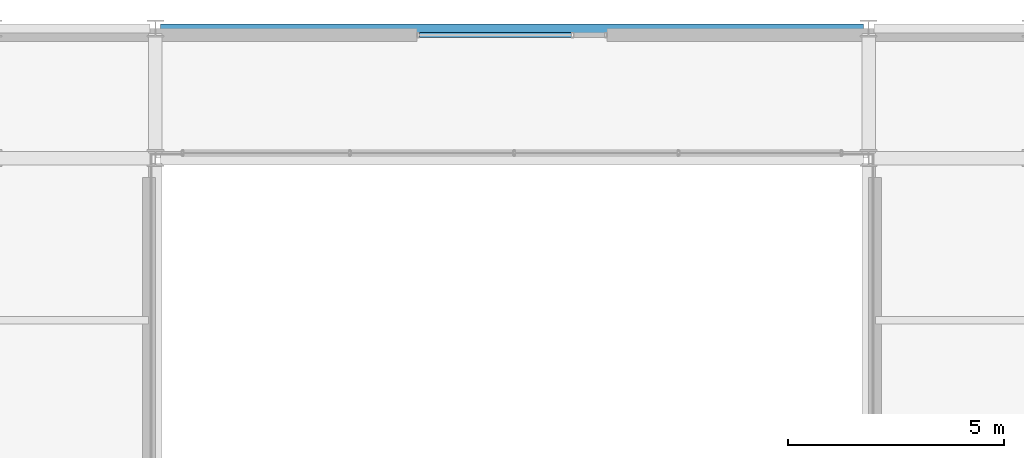
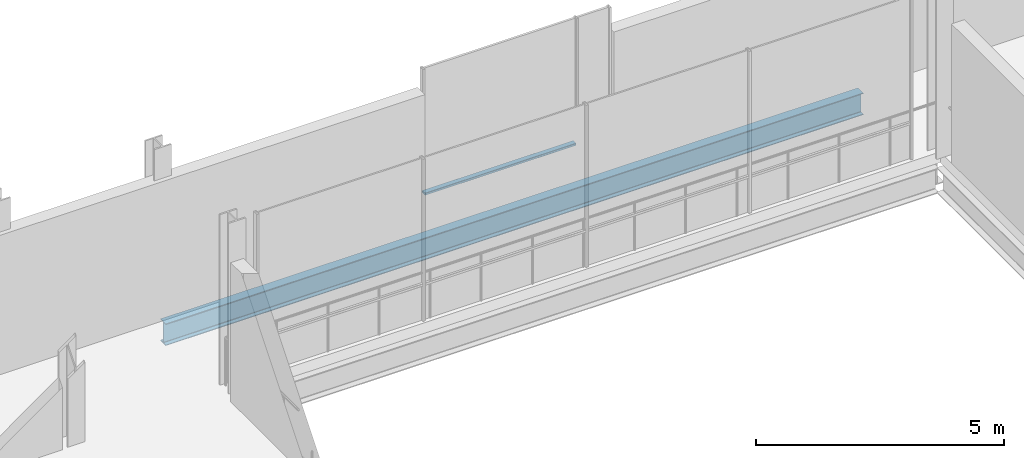
# One storey, part 12 of 33: 1 beam, 1 member, 1 element without a shape of its own.
"""IFC4 building model written with IfcOpenShell, lengths in metres."""

import ifcopenshell
import ifcopenshell.guid

model = None  # the IFC model being written
_history = None  # IfcOwnerHistory: only IFC2X3 demands one
_inside = {}  # id of a spatial element -> (the spatial element, [elements in it])
_under = {}  # id of a project, library or spatial element -> (it, [spatial elements below it])
_declared = {}  # id of a project -> (the project, [libraries it declares])
_typed = {}  # id of a type object -> (the type object, [elements of that type])
_made_of = {}  # id of a material, layer set ... -> (it, [elements and type objects made of it])


def new_model(schema):
    """Start an empty IFC model of exactly this schema.

    Asked for "IFC4X3", IfcOpenShell would pick the latest addendum, in which some entities
    have other attributes; the version numbers below select the first issue.
    IFC2X3 requires an IfcOwnerHistory on every rooted entity: one is made here for all.
    """
    global model, _history
    if schema == "IFC4X3":
        model = ifcopenshell.file(schema_version=(4, 3, 0, 0))
    else:
        model = ifcopenshell.file(schema=schema)
    _inside.clear()
    _under.clear()
    _declared.clear()
    _typed.clear()
    _made_of.clear()
    _history = None
    if model.schema == "IFC2X3":
        org = make("IfcOrganization", Name="unknown")
        user = make(
            "IfcPersonAndOrganization",
            ThePerson=make("IfcPerson", FamilyName="unknown"),
            TheOrganization=org,
        )
        app = make(
            "IfcApplication",
            ApplicationDeveloper=org,
            Version="unknown",
            ApplicationFullName="unknown",
            ApplicationIdentifier="unknown",
        )
        _history = make(
            "IfcOwnerHistory",
            OwningUser=user,
            OwningApplication=app,
            ChangeAction="ADDED",
            CreationDate=0,
        )
    return model


def make(cls, **values):
    """One entity of the class cls with the attributes given. An attribute that is None is left unset."""
    return model.create_entity(
        cls, **{name: value for name, value in values.items() if value is not None}
    )


def rooted(cls, **values):
    """An entity with a GlobalId (a new one), such as an element, a storey or a relation."""
    return make(cls, GlobalId=ifcopenshell.guid.new(), OwnerHistory=_history, **values)


def si_unit(unit_type, name, prefix=None):
    """IfcSIUnit, for example si_unit("LENGTHUNIT", "METRE", prefix="MILLI")."""
    return make("IfcSIUnit", UnitType=unit_type, Prefix=prefix, Name=name)


def assignment(units):
    """IfcUnitAssignment: the units of a project."""
    return None if units is None else make("IfcUnitAssignment", Units=units)


def point(xyz):
    """IfcCartesianPoint."""
    return None if xyz is None else make("IfcCartesianPoint", Coordinates=xyz)


def direction(xyz):
    """IfcDirection."""
    return None if xyz is None else make("IfcDirection", DirectionRatios=xyz)


def frame(location, z_axis=None, x_axis=None):
    """IfcAxis2Placement3D, a coordinate frame: its origin and axes. An axis left out is left unset."""
    return make(
        "IfcAxis2Placement3D",
        Location=point(location),
        Axis=direction(z_axis),
        RefDirection=direction(x_axis),
    )


def frame_2d(location, x_axis=None):
    """IfcAxis2Placement2D, a coordinate frame in the plane: its origin and x axis."""
    return make(
        "IfcAxis2Placement2D", Location=point(location), RefDirection=direction(x_axis)
    )


def origin():
    """The frame at (0, 0, 0) with its axes left unset."""
    return frame((0.0, 0.0, 0.0))


def origin_2d():
    """The frame at (0, 0) in the plane with its x axis left unset."""
    return frame_2d((0.0, 0.0))


def place(relative_to, where):
    """IfcLocalPlacement: puts the frame where relative to a parent placement (None: the world)."""
    return make(
        "IfcLocalPlacement", PlacementRelTo=relative_to, RelativePlacement=where
    )


def context(
    kind, dimensions, precision=None, world=None, true_north=None, identifier=None
):
    """IfcGeometricRepresentationContext, for example the 3D "Model" context."""
    return make(
        "IfcGeometricRepresentationContext",
        ContextIdentifier=identifier,
        ContextType=kind,
        CoordinateSpaceDimension=dimensions,
        Precision=precision,
        WorldCoordinateSystem=world,
        TrueNorth=true_north,
    )


def subcontext(parent, identifier, kind, view, scale=None):
    """IfcGeometricRepresentationSubContext, for example "Body" below "Model"."""
    return make(
        "IfcGeometricRepresentationSubContext",
        ContextIdentifier=identifier,
        ContextType=kind,
        ParentContext=parent,
        TargetScale=scale,
        TargetView=view,
    )


def project(units=None, contexts=None):
    """IfcProject with its units and contexts."""
    return rooted(
        "IfcProject",
        Name="project",
        RepresentationContexts=contexts,
        UnitsInContext=assignment(units),
    )


def spatial(cls, under=None, at=None, **own):
    """A site, building, storey or space (cls), placed at a placement, below another one or the project."""
    s = rooted(cls, ObjectPlacement=at, **own)
    if under is not None:
        _under.setdefault(under.id(), (under, []))[1].append(s)
    return s


def profile(cls, at=None, kind="AREA", **sizes):
    """A parametric profile (cls). Its sizes go by their IFC names, for example OverallWidth=200.0."""
    return make(cls, ProfileType=kind, Position=at, **sizes)


def hollow_rectangle(**sizes):
    """IfcRectangleHollowProfileDef."""
    return profile("IfcRectangleHollowProfileDef", **sizes)


def i_section(**sizes):
    """IfcIShapeProfileDef."""
    return profile("IfcIShapeProfileDef", **sizes)


def extrude(swept, where, along, depth):
    """IfcExtrudedAreaSolid: the profile swept, set in the frame where, extruded along a direction by depth."""
    return make(
        "IfcExtrudedAreaSolid",
        SweptArea=swept,
        Position=where,
        ExtrudedDirection=direction(along),
        Depth=depth,
    )


def shape(context_of_items, identifier, shape_type, items):
    """IfcShapeRepresentation: the items that make up one representation, for example the "Body"."""
    return make(
        "IfcShapeRepresentation",
        ContextOfItems=context_of_items,
        RepresentationIdentifier=identifier,
        RepresentationType=shape_type,
        Items=items,
    )


def material(Name=None, Category=None):
    """IfcMaterial."""
    return make("IfcMaterial", Name=Name, Category=Category)


def layer(
    of_material, thickness, ventilated=None, Name=None, Category=None, Priority=None
):
    """IfcMaterialLayer: one layer of a wall or slab, of a material (None: an air gap)."""
    return make(
        "IfcMaterialLayer",
        Material=of_material,
        LayerThickness=thickness,
        IsVentilated=ventilated,
        Name=Name,
        Category=Category,
        Priority=Priority,
    )


def layer_set(layers, Name=None):
    """IfcMaterialLayerSet."""
    return make("IfcMaterialLayerSet", MaterialLayers=layers, LayerSetName=Name)


def material_profile(
    of_material, cross_section, Name=None, Category=None, Priority=None
):
    """IfcMaterialProfile: a cross section and its material."""
    return make(
        "IfcMaterialProfile",
        Name=Name,
        Material=of_material,
        Profile=cross_section,
        Priority=Priority,
        Category=Category,
    )


def profile_set(profiles, Name=None, composite=None):
    """IfcMaterialProfileSet."""
    return make(
        "IfcMaterialProfileSet",
        Name=Name,
        MaterialProfiles=profiles,
        CompositeProfile=composite,
    )


def made_of(thing, what):
    """Note that an element or type object is made of a material, layer set ...; save() writes the relation."""
    if what is not None:
        _made_of.setdefault(what.id(), (what, []))[1].append(thing)
    return thing


def type_object(cls, material=None, **own):
    """A type object (cls), such as IfcWallType, which elements share."""
    return made_of(rooted(cls, **own), material)


def element(
    cls,
    number,
    at=None,
    inside=None,
    cuts=None,
    type_object=None,
    material=None,
    context=None,
    identifier="Body",
    shape_type=None,
    held_by="IfcProductDefinitionShape",
    body=None,
    shapes=None,
    **own,
):
    """One element of the class cls, such as IfcWall. Its Tag is "e" and its number.

    at: its placement. inside: the storey or other place that contains it. cuts: it is an
    opening in that element (IfcRelVoidsElement). A single representation is given by context,
    identifier, shape_type and body (its items); several are given by shapes. held_by: the class
    of the entity that holds the representations. save() writes the other relations.
    """
    e = rooted(cls, Tag="e%d" % number, ObjectPlacement=at, **own)
    if body is not None:
        shapes = [shape(context, identifier, shape_type, body)]
    if shapes is not None:
        e.Representation = make(held_by, Representations=shapes)
    if inside is not None:
        _inside.setdefault(inside.id(), (inside, []))[1].append(e)
    if cuts is not None:
        rooted(
            "IfcRelVoidsElement", RelatingBuildingElement=cuts, RelatedOpeningElement=e
        )
    if type_object is not None:
        _typed.setdefault(type_object.id(), (type_object, []))[1].append(e)
    return made_of(e, material)


def aggregate(whole, parts):
    """IfcRelAggregates: a whole, such as a stair, and the parts it consists of."""
    return rooted("IfcRelAggregates", RelatingObject=whole, RelatedObjects=parts)


def save(model, path):
    """Write the relations noted so far, then the file.

    IfcRelAggregates (storeys below a building ...), IfcRelContainedInSpatialStructure (elements
    in a storey), IfcRelDefinesByType, IfcRelAssociatesMaterial and IfcRelDeclares: one each for
    every whole, place, type object, material and project.
    """
    for whole, parts in _under.values():
        aggregate(whole, parts)
    for where, things in _inside.values():
        rooted(
            "IfcRelContainedInSpatialStructure",
            RelatedElements=things,
            RelatingStructure=where,
        )
    for kind, things in _typed.values():
        rooted("IfcRelDefinesByType", RelatedObjects=things, RelatingType=kind)
    for what, things in _made_of.values():
        rooted("IfcRelAssociatesMaterial", RelatedObjects=things, RelatingMaterial=what)
    for by, libraries in _declared.values():
        rooted("IfcRelDeclares", RelatingContext=by, RelatedDefinitions=libraries)
    model.write(path)


model = new_model("IFC4")

# Units and contexts
model_context = context("Model", 3, precision=1e-05, world=origin(), true_north=direction((0.0, 1.0)))
body_context = subcontext(model_context, "Body", "Model", "MODEL_VIEW")
ifc_project = project(units=[si_unit("LENGTHUNIT", "METRE"), si_unit("AREAUNIT", "SQUARE_METRE"), si_unit("VOLUMEUNIT", "CUBIC_METRE"), si_unit("PLANEANGLEUNIT", "RADIAN"), si_unit("MASSUNIT", "GRAM", prefix="KILO")], contexts=[model_context])

# Site, building, storey
site_placement = place(None, origin())
site = spatial("IfcSite", under=ifc_project, at=site_placement, CompositionType="ELEMENT")
building_placement = place(site_placement, origin())
building = spatial("IfcBuilding", under=site, at=building_placement, Name="Brevholm Reach", CompositionType="ELEMENT")
storey_placement = place(building_placement, frame((0.0, 0.0, 179.0)))
storey = spatial("IfcBuildingStorey", under=building, at=storey_placement, Name="L54", CompositionType="ELEMENT", Elevation=179.0)

# Beam
ifc_material_1 = material(Name="Structural Steel S355J2", Category="steel")
ifc_material_profile_1 = material_profile(ifc_material_1, i_section(OverallWidth=0.210693359375, OverallDepth=0.53955078125, WebThickness=0.01171875, FlangeThickness=0.018798828125, FilletRadius=0.0126953125, at=origin_2d()), Name="UKB 533x210x109")
ifc_profile_set_1 = profile_set([ifc_material_profile_1], Name="Structural Steel S355J2")
beam_type = type_object("IfcBeamType", Name="BM-SP539", PredefinedType="SPANDREL", material=ifc_profile_set_1)
beam_placement = place(storey_placement, frame((21.8701171875, 26.5, -0.52978515625), z_axis=(1.0, 0.0, 0.0), x_axis=(0.0, 1.0, 0.0)))
element("IfcBeam", 1, at=beam_placement, inside=storey, type_object=beam_type, Name="L54 SP-01B Framing Beam", PredefinedType="SPANDREL", context=body_context, shape_type="SweptSolid", body=[
    extrude(i_section(OverallWidth=0.210693359375, OverallDepth=0.53955078125, WebThickness=0.01171875, FlangeThickness=0.018798828125, FilletRadius=0.0126953125, at=origin_2d()), origin(), (0.0, 0.0, 1.0), 16.259765625),
])

# Curtain wall, member
ifc_material_2 = material(Name="Dark Anodised Aluminium 6063-T6 and Solar-Control Glass", Category="aluminium")
ifc_layer = layer(ifc_material_2, 0.1201171875)
ifc_layer_set = layer_set([ifc_layer], Name="Dark Anodised Aluminium 6063-T6 and Solar-Control Glass")
curtain_wall_type = type_object("IfcCurtainWallType", Name="CW-06", PredefinedType="NOTDEFINED", material=ifc_layer_set)
curtain_wall_placement = place(storey_placement, origin())
curtain_wall = element("IfcCurtainWall", 2, at=curtain_wall_placement, inside=storey, type_object=curtain_wall_type, Name="L54 Curtain Wall CW-06", PredefinedType="NOTDEFINED")
ifc_material_3 = material(Name="Dark Anodised Aluminium 6063-T6", Category="aluminium")
ifc_material_profile_2 = material_profile(ifc_material_3, hollow_rectangle(XDim=0.054931640625, YDim=0.1201171875, WallThickness=0.00390625, InnerFilletRadius=0.00390625, OuterFilletRadius=0.008056640625, at=origin_2d()), Name="RHS 120x55x4")
ifc_profile_set_2 = profile_set([ifc_material_profile_2], Name="Dark Anodised Aluminium 6063-T6")
member_type = type_object("IfcMemberType", Name="CWT-120", PredefinedType="NOTDEFINED", material=ifc_profile_set_2)
member_placement = place(storey_placement, frame((27.85498046875, 26.35009765625, 0.89990234375), z_axis=(1.0, 0.0, 0.0), x_axis=(0.0, 0.0, 1.0)))
member = element("IfcMember", 3, at=member_placement, type_object=member_type, Name="CT-120 Transom 1.1", ObjectType="TRANSOM", PredefinedType="USERDEFINED", context=body_context, shape_type="SweptSolid", body=[
    extrude(hollow_rectangle(XDim=0.054931640625, YDim=0.1201171875, WallThickness=0.00390625, InnerFilletRadius=0.00390625, OuterFilletRadius=0.008056640625, at=origin_2d()), origin(), (0.0, 0.0, 1.0), 3.517578125),
])
aggregate(curtain_wall, [member])

save(model, "model.ifc")
